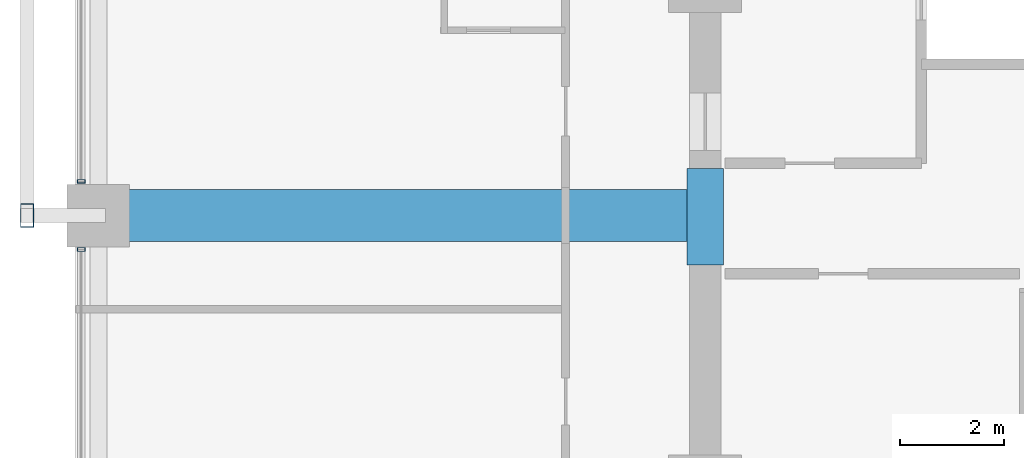
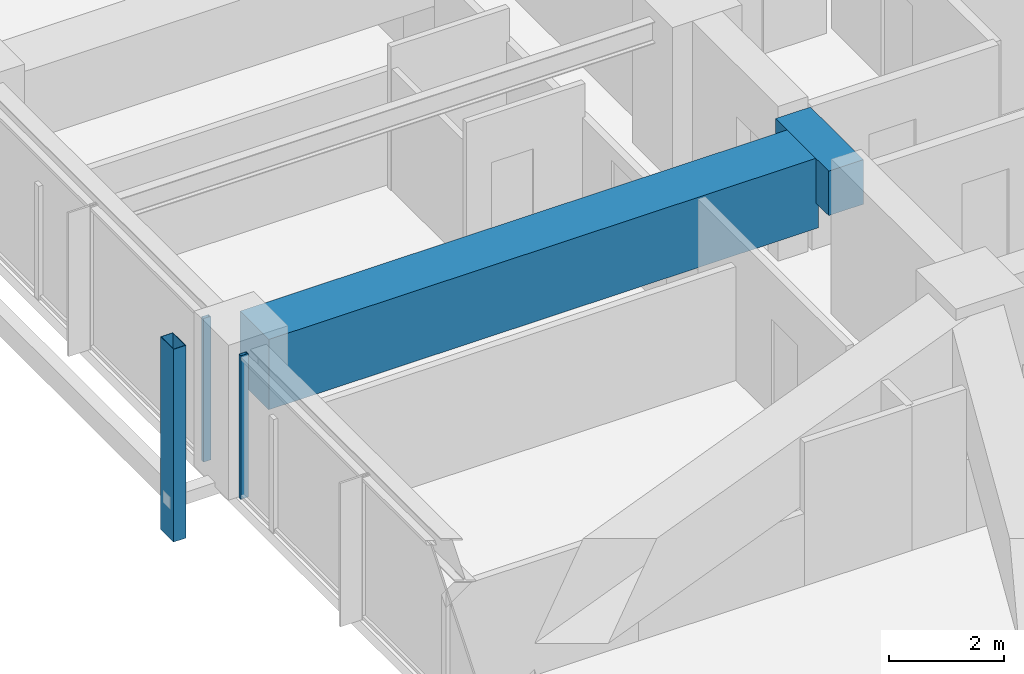
# One storey, part 7 of 37: 3 members, 2 beams, 2 elements without a shape of their own.
"""IFC4 building model written with IfcOpenShell, lengths in metres."""

from ifc_helpers import new_model, si_unit, direction, frame, origin, origin_2d, place, context, subcontext, project, spatial, rectangle, hollow_rectangle, extrude, material, material_profile, profile_set, type_object, element, aggregate, save


model = new_model("IFC4")

# Units and contexts
model_context = context("Model", 3, precision=1e-05, world=origin(), true_north=direction((0.0, 1.0)))
body_context = subcontext(model_context, "Body", "Model", "MODEL_VIEW")
ifc_project = project(units=[si_unit("LENGTHUNIT", "METRE"), si_unit("AREAUNIT", "SQUARE_METRE"), si_unit("VOLUMEUNIT", "CUBIC_METRE"), si_unit("PLANEANGLEUNIT", "RADIAN"), si_unit("MASSUNIT", "GRAM", prefix="KILO")], contexts=[model_context])

# Site, building, storey
site_placement = place(None, origin())
site = spatial("IfcSite", under=ifc_project, at=site_placement, CompositionType="ELEMENT")
building_placement = place(site_placement, origin())
building = spatial("IfcBuilding", under=site, at=building_placement, Name="Kolvaren Belvedere", CompositionType="ELEMENT")
storey_placement = place(building_placement, frame((0.0, 0.0, 43.60009765625)))
storey = spatial("IfcBuildingStorey", under=building, at=storey_placement, Name="L12", CompositionType="ELEMENT", Elevation=43.60009765625)

# Beams
ifc_material_1 = material(Name="Concrete C60/75", Category="concrete")
ifc_material_profile_1 = material_profile(ifc_material_1, rectangle(XDim=0.699951171875, YDim=0.949951171875, at=origin_2d()), Name="RC 700X950")
ifc_profile_set_1 = profile_set([ifc_material_profile_1], Name="Concrete C60/75")
beam_type_1 = type_object("IfcBeamType", Name="BM-LINT-950", PredefinedType="LINTEL", material=ifc_profile_set_1)
beam_1_placement = place(storey_placement, frame((-9.89990234375, -5.550048828125, 2.5849609375), z_axis=(0.0, 1.0, 0.0), x_axis=(-1.0, 0.0, 0.0)))
element("IfcBeam", 1, at=beam_1_placement, inside=storey, type_object=beam_type_1, Name="L12 West Core Coupling Lintel", PredefinedType="LINTEL", context=body_context, shape_type="SweptSolid", body=[
    extrude(rectangle(XDim=0.699951171875, YDim=0.949951171875, at=origin_2d()), origin(), (0.0, 0.0, 1.0), 1.85009765625),
])
ifc_material_2 = material(Name="Concrete C50/60", Category="concrete")
ifc_material_profile_2 = material_profile(ifc_material_2, rectangle(XDim=1.0, YDim=1.5, at=origin_2d()), Name="RC 1000X1500")
ifc_profile_set_2 = profile_set([ifc_material_profile_2], Name="Concrete C50/60")
beam_type_2 = type_object("IfcBeamType", Name="BM-TG-1500", PredefinedType="BEAM", material=ifc_profile_set_2)
beam_2_placement = place(storey_placement, frame((-10.199951171875, -4.60009765625, 2.309814453125), z_axis=(-1.0, 0.0, 0.0), x_axis=(0.0, -1.0, 0.0)))
element("IfcBeam", 2, at=beam_2_placement, inside=storey, type_object=beam_type_2, Name="L12 West Radial Girder M", PredefinedType="BEAM", context=body_context, shape_type="SweptSolid", body=[
    extrude(rectangle(XDim=1.0, YDim=1.5, at=origin_2d()), origin(), (0.0, 0.0, 1.0), 11.080078125),
])

# Curtain wall, member
ifc_material_3 = material(Name="Anodised pale-metal aluminium AA 6063-T6", Category="aluminium")
curtain_wall_type = type_object("IfcCurtainWallType", Name="CW-Z1-LOW", PredefinedType="NOTDEFINED", material=ifc_material_3)
curtain_wall_1_placement = place(storey_placement, origin())
curtain_wall_1 = element("IfcCurtainWall", 3, at=curtain_wall_1_placement, inside=storey, type_object=curtain_wall_type, Name="L12 Unitised Curtain Wall FCW-L12-W-B1", PredefinedType="NOTDEFINED")
ifc_material_4 = material(Name="Anodised pale-metal aluminium AA 6063-T6", Category="aluminium")
ifc_material_profile_3 = material_profile(ifc_material_4, hollow_rectangle(XDim=0.070068359375, YDim=0.14990234375, WallThickness=0.004150390625, at=origin_2d()), Name="ALU-MUL-150X70")
ifc_profile_set_3 = profile_set([ifc_material_profile_3], Name="Anodised pale-metal aluminium AA 6063-T6")
member_type_1 = type_object("IfcMemberType", Name="CW-MUL-150", PredefinedType="MULLION", material=ifc_profile_set_3)
member_1_placement = place(storey_placement, frame((-21.8798828125, -5.2548828125, 0.0), z_axis=(0.0, 0.0, 1.0), x_axis=(0.0, 1.0, 0.0)))
member_1 = element("IfcMember", 4, at=member_1_placement, type_object=member_type_1, Name="FCW-L12-W-B1 Unitised Mullion 3", PredefinedType="MULLION", context=body_context, shape_type="SweptSolid", body=[
    extrude(hollow_rectangle(XDim=0.070068359375, YDim=0.14990234375, WallThickness=0.004150390625, at=origin_2d()), origin(), (0.0, 0.0, 1.0), 3.059814453125),
])
aggregate(curtain_wall_1, [member_1])

curtain_wall_2_placement = place(storey_placement, origin())
curtain_wall_2 = element("IfcCurtainWall", 5, at=curtain_wall_2_placement, inside=storey, type_object=curtain_wall_type, Name="L12 Unitised Curtain Wall FCW-L12-W-B2", PredefinedType="NOTDEFINED")
member_2_placement = place(storey_placement, frame((-21.8798828125, -3.945068359375, 0.0), z_axis=(0.0, 0.0, 1.0), x_axis=(0.0, 1.0, 0.0)))
member_2 = element("IfcMember", 6, at=member_2_placement, type_object=member_type_1, Name="FCW-L12-W-B2 Unitised Mullion 1", PredefinedType="MULLION", context=body_context, shape_type="SweptSolid", body=[
    extrude(hollow_rectangle(XDim=0.070068359375, YDim=0.14990234375, WallThickness=0.004150390625, at=origin_2d()), origin(), (0.0, 0.0, 1.0), 3.059814453125),
])
aggregate(curtain_wall_2, [member_2])

# Member
ifc_material_5 = material(Name="Anodised pale-metal aluminium AA 6063-T6", Category="aluminium")
ifc_material_profile_4 = material_profile(ifc_material_5, hollow_rectangle(XDim=0.25, YDim=0.449951171875, WallThickness=0.008544921875, at=origin_2d()), Name="ALU-PF-450X250")
ifc_profile_set_4 = profile_set([ifc_material_profile_4], Name="Anodised pale-metal aluminium AA 6063-T6")
member_type_2 = type_object("IfcMemberType", Name="PF-FRAME-450", PredefinedType="USERDEFINED", material=ifc_profile_set_4)
member_3_placement = place(storey_placement, frame((-22.919921875, -4.60009765625, -0.81005859375), z_axis=(0.0, 0.0, 1.0), x_axis=(1.0, 0.0, 0.0)))
element("IfcMember", 7, at=member_3_placement, inside=storey, type_object=member_type_2, Name="L12 Outboard Picture-Frame Vertical W1", ObjectType="PICTURE FRAME FIN", PredefinedType="USERDEFINED", context=body_context, shape_type="SweptSolid", body=[
    extrude(hollow_rectangle(XDim=0.25, YDim=0.449951171875, WallThickness=0.008544921875, at=origin_2d()), origin(), (0.0, 0.0, 1.0), 4.10986328125),
])

save(model, "model.ifc")
